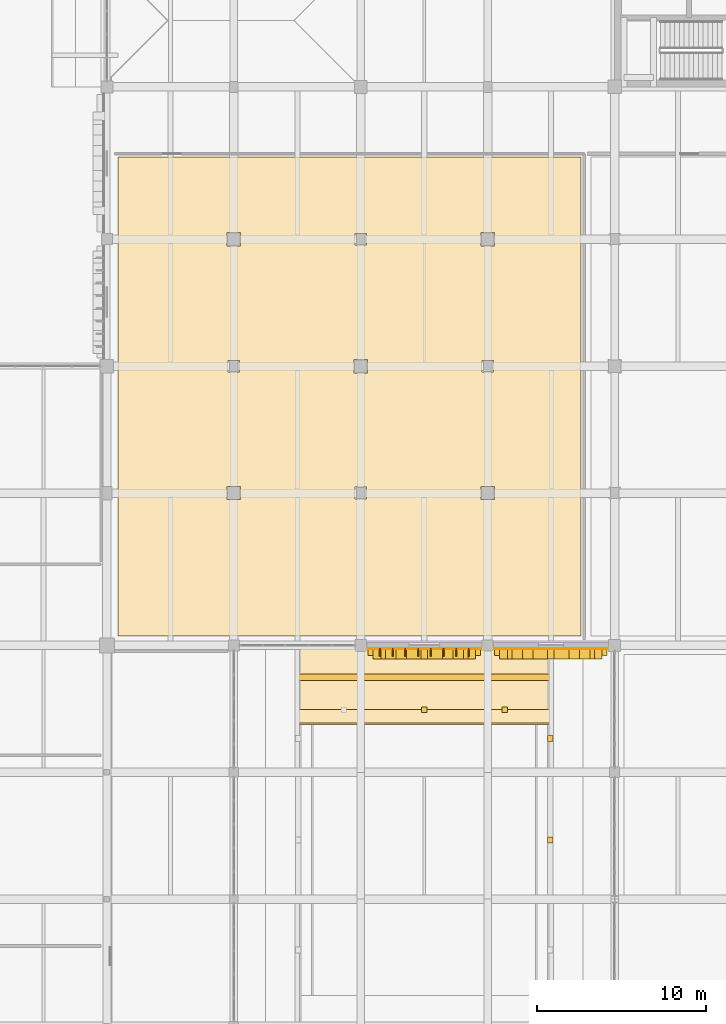
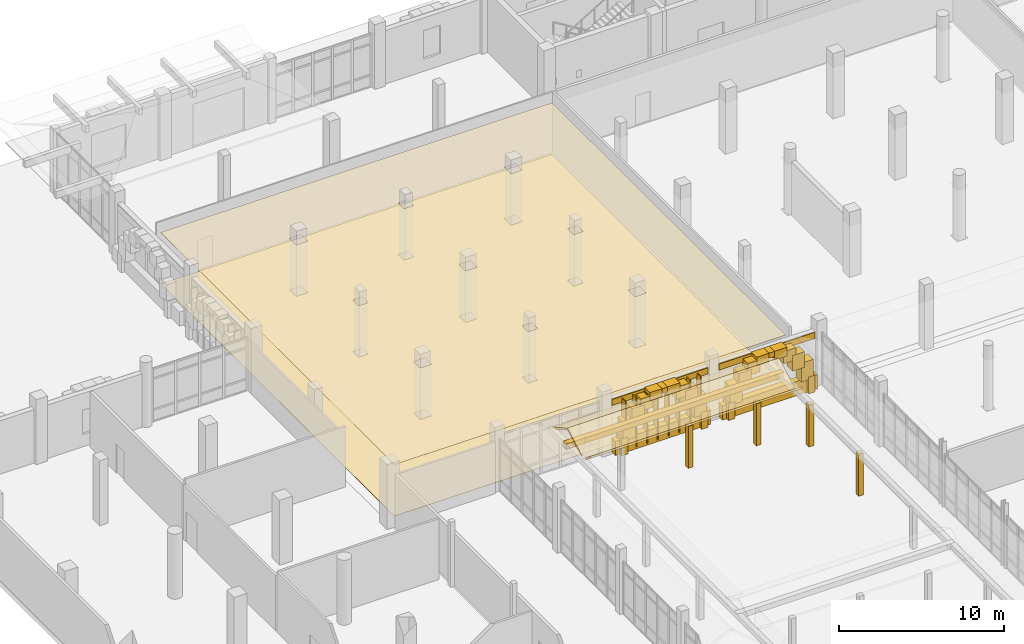
# One storey, part 111 of 125: 36 coverings, 8 shading devices.
"""IFC4 building model written with IfcOpenShell, lengths in metres."""

from ifc_helpers import new_model, si_unit, direction, frame, origin, origin_2d, place, context, subcontext, project, spatial, polyline, rectangle, outline, extrude, material, layer, layer_set, type_object, element, save


model = new_model("IFC4")

# Units and contexts
model_context = context("Model", 3, precision=1e-05, world=origin(), true_north=direction((0.0, 1.0)))
body_context = subcontext(model_context, "Body", "Model", "MODEL_VIEW")
ifc_project = project(units=[si_unit("LENGTHUNIT", "METRE"), si_unit("AREAUNIT", "SQUARE_METRE"), si_unit("VOLUMEUNIT", "CUBIC_METRE"), si_unit("PLANEANGLEUNIT", "RADIAN"), si_unit("MASSUNIT", "GRAM", prefix="KILO")], contexts=[model_context])

# Site, building, storey
site_placement = place(None, origin())
site = spatial("IfcSite", under=ifc_project, at=site_placement, CompositionType="ELEMENT")
building_placement = place(site_placement, origin())
building = spatial("IfcBuilding", under=site, at=building_placement, Name="Dalvernix Boulevard General Hospital", CompositionType="ELEMENT")
storey_placement = place(building_placement, origin())
storey = spatial("IfcBuildingStorey", under=building, at=storey_placement, Name="L00", CompositionType="ELEMENT", Elevation=0.0)

# Coverings
ifc_material_1 = material(Name="Pressed Catalan clay brick and dressed limestone parabolic archivolt", Category="masonry")
ifc_layer_1 = layer(ifc_material_1, 0.419921875)
ifc_layer_set_1 = layer_set([ifc_layer_1], Name="Pressed Catalan clay brick and dressed limestone parabolic archivolt (COV-ARC-01)")
covering_type_1 = type_object("IfcCoveringType", Name="COV-ARC-01", PredefinedType="CLADDING", material=ifc_layer_set_1)
for number, where, z_axis, x_axis, name in (
    (1, (51.5625, 76.014892578125, 0.0), (0.0, 0.0, 1.0), (-1.0, 0.0, 0.0), "L00 Catalan parabolic arch impost pier S 6-10-L"),
    (2, (45.96240234375, 76.014892578125, 0.0), (0.0, 0.0, 1.0), (-1.0, 0.0, 0.0), "L00 Catalan parabolic arch impost pier S 6-10-R"),
):
    element("IfcCovering", number, at=place(storey_placement, frame(where, z_axis=z_axis, x_axis=x_axis)), inside=storey, type_object=covering_type_1, Name=name, PredefinedType="CLADDING", context=body_context, shape_type="SweptSolid", body=[
        extrude(rectangle(XDim=0.4599609375, YDim=0.659912109375, at=origin_2d()), origin(), (0.0, 0.0, 1.0), 1.25),
    ])
covering_1_placement = place(storey_placement, frame((51.25146484375, 76.014892578125, 1.059814453125), z_axis=(0.0, 0.0, 1.0), x_axis=(-1.0, 0.0, 0.0)))
element("IfcCovering", 3, at=covering_1_placement, inside=storey, type_object=covering_type_1, Name="L00 Catalan parabolic archivolt voussoir S 6-10-1", PredefinedType="CLADDING", context=body_context, shape_type="SweptSolid", body=[
    extrude(rectangle(XDim=0.8623046875, YDim=0.659912109375, at=origin_2d()), origin(), (0.0, 0.0, 1.0), 1.3994140625),
])
covering_2_placement = place(storey_placement, frame((50.629150390625, 76.014892578125, 2.07958984375), z_axis=(0.0, 0.0, 1.0), x_axis=(-1.0, 0.0, 0.0)))
element("IfcCovering", 4, at=covering_2_placement, inside=storey, type_object=covering_type_1, Name="L00 Catalan parabolic archivolt voussoir S 6-10-2", PredefinedType="CLADDING", context=body_context, shape_type="SweptSolid", body=[
    extrude(rectangle(XDim=0.8623046875, YDim=0.659912109375, at=origin_2d()), origin(), (0.0, 0.0, 1.0), 1.144287109375),
])
covering_3_placement = place(storey_placement, frame((50.0068359375, 76.014892578125, 2.84375), z_axis=(0.0, 0.0, 1.0), x_axis=(-1.0, 0.0, 0.0)))
element("IfcCovering", 5, at=covering_3_placement, inside=storey, type_object=covering_type_1, Name="L00 Catalan parabolic archivolt voussoir S 6-10-3", PredefinedType="CLADDING", context=body_context, shape_type="SweptSolid", body=[
    extrude(rectangle(XDim=0.8623046875, YDim=0.659912109375, at=origin_2d()), origin(), (0.0, 0.0, 1.0), 0.8896484375),
])
covering_4_placement = place(storey_placement, frame((49.384765625, 76.014892578125, 3.353271484375), z_axis=(0.0, 0.0, 1.0), x_axis=(-1.0, 0.0, 0.0)))
element("IfcCovering", 6, at=covering_4_placement, inside=storey, type_object=covering_type_1, Name="L00 Catalan parabolic archivolt voussoir S 6-10-4", PredefinedType="CLADDING", context=body_context, shape_type="SweptSolid", body=[
    extrude(rectangle(XDim=0.8623046875, YDim=0.659912109375, at=origin_2d()), origin(), (0.0, 0.0, 1.0), 0.634765625),
])
covering_5_placement = place(storey_placement, frame((48.762451171875, 76.014892578125, 3.608154296875), z_axis=(0.0, 0.0, 1.0), x_axis=(-1.0, 0.0, 0.0)))
element("IfcCovering", 7, at=covering_5_placement, inside=storey, type_object=covering_type_1, Name="L00 Catalan parabolic archivolt voussoir S 6-10-5", PredefinedType="CLADDING", context=body_context, shape_type="SweptSolid", body=[
    extrude(rectangle(XDim=0.8623046875, YDim=0.659912109375, at=origin_2d()), origin(), (0.0, 0.0, 1.0), 0.3798828125),
])
covering_6_placement = place(storey_placement, frame((48.140380859375, 76.014892578125, 3.353271484375), z_axis=(0.0, 0.0, 1.0), x_axis=(-1.0, 0.0, 0.0)))
element("IfcCovering", 8, at=covering_6_placement, inside=storey, type_object=covering_type_1, Name="L00 Catalan parabolic archivolt voussoir S 6-10-6", PredefinedType="CLADDING", context=body_context, shape_type="SweptSolid", body=[
    extrude(rectangle(XDim=0.8623046875, YDim=0.659912109375, at=origin_2d()), origin(), (0.0, 0.0, 1.0), 0.634765625),
])
covering_7_placement = place(storey_placement, frame((47.51806640625, 76.014892578125, 2.84375), z_axis=(0.0, 0.0, 1.0), x_axis=(-1.0, 0.0, 0.0)))
element("IfcCovering", 9, at=covering_7_placement, inside=storey, type_object=covering_type_1, Name="L00 Catalan parabolic archivolt voussoir S 6-10-7", PredefinedType="CLADDING", context=body_context, shape_type="SweptSolid", body=[
    extrude(rectangle(XDim=0.8623046875, YDim=0.659912109375, at=origin_2d()), origin(), (0.0, 0.0, 1.0), 0.8896484375),
])
covering_8_placement = place(storey_placement, frame((46.895751953125, 76.014892578125, 2.07958984375), z_axis=(0.0, 0.0, 1.0), x_axis=(-1.0, 0.0, 0.0)))
element("IfcCovering", 10, at=covering_8_placement, inside=storey, type_object=covering_type_1, Name="L00 Catalan parabolic archivolt voussoir S 6-10-8", PredefinedType="CLADDING", context=body_context, shape_type="SweptSolid", body=[
    extrude(rectangle(XDim=0.8623046875, YDim=0.659912109375, at=origin_2d()), origin(), (0.0, 0.0, 1.0), 1.144287109375),
])
covering_9_placement = place(storey_placement, frame((46.273681640625, 76.014892578125, 1.059814453125), z_axis=(0.0, 0.0, 1.0), x_axis=(-1.0, 0.0, 0.0)))
element("IfcCovering", 11, at=covering_9_placement, inside=storey, type_object=covering_type_1, Name="L00 Catalan parabolic archivolt voussoir S 6-10-9", PredefinedType="CLADDING", context=body_context, shape_type="SweptSolid", body=[
    extrude(rectangle(XDim=0.8623046875, YDim=0.659912109375, at=origin_2d()), origin(), (0.0, 0.0, 1.0), 1.3994140625),
])
for number, where, z_axis, x_axis, name in (
    (12, (59.03759765625, 76.014892578125, 0.0), (0.0, 0.0, 1.0), (-1.0, 0.0, 0.0), "L00 Catalan parabolic arch impost pier S 7-10-L"),
    (13, (53.4375, 76.014892578125, 0.0), (0.0, 0.0, 1.0), (-1.0, 0.0, 0.0), "L00 Catalan parabolic arch impost pier S 7-10-R"),
):
    element("IfcCovering", number, at=place(storey_placement, frame(where, z_axis=z_axis, x_axis=x_axis)), inside=storey, type_object=covering_type_1, Name=name, PredefinedType="CLADDING", context=body_context, shape_type="SweptSolid", body=[
        extrude(rectangle(XDim=0.4599609375, YDim=0.659912109375, at=origin_2d()), origin(), (0.0, 0.0, 1.0), 1.25),
    ])
covering_10_placement = place(storey_placement, frame((58.726318359375, 76.014892578125, 1.059814453125), z_axis=(0.0, 0.0, 1.0), x_axis=(-1.0, 0.0, 0.0)))
element("IfcCovering", 14, at=covering_10_placement, inside=storey, type_object=covering_type_1, Name="L00 Catalan parabolic archivolt voussoir S 7-10-1", PredefinedType="CLADDING", context=body_context, shape_type="SweptSolid", body=[
    extrude(rectangle(XDim=0.8623046875, YDim=0.659912109375, at=origin_2d()), origin(), (0.0, 0.0, 1.0), 1.3994140625),
])
covering_11_placement = place(storey_placement, frame((58.104248046875, 76.014892578125, 2.07958984375), z_axis=(0.0, 0.0, 1.0), x_axis=(-1.0, 0.0, 0.0)))
element("IfcCovering", 15, at=covering_11_placement, inside=storey, type_object=covering_type_1, Name="L00 Catalan parabolic archivolt voussoir S 7-10-2", PredefinedType="CLADDING", context=body_context, shape_type="SweptSolid", body=[
    extrude(rectangle(XDim=0.8623046875, YDim=0.659912109375, at=origin_2d()), origin(), (0.0, 0.0, 1.0), 1.144287109375),
])
covering_12_placement = place(storey_placement, frame((57.48193359375, 76.014892578125, 2.84375), z_axis=(0.0, 0.0, 1.0), x_axis=(-1.0, 0.0, 0.0)))
element("IfcCovering", 16, at=covering_12_placement, inside=storey, type_object=covering_type_1, Name="L00 Catalan parabolic archivolt voussoir S 7-10-3", PredefinedType="CLADDING", context=body_context, shape_type="SweptSolid", body=[
    extrude(rectangle(XDim=0.8623046875, YDim=0.659912109375, at=origin_2d()), origin(), (0.0, 0.0, 1.0), 0.8896484375),
])
covering_13_placement = place(storey_placement, frame((56.859619140625, 76.014892578125, 3.353271484375), z_axis=(0.0, 0.0, 1.0), x_axis=(-1.0, 0.0, 0.0)))
element("IfcCovering", 17, at=covering_13_placement, inside=storey, type_object=covering_type_1, Name="L00 Catalan parabolic archivolt voussoir S 7-10-4", PredefinedType="CLADDING", context=body_context, shape_type="SweptSolid", body=[
    extrude(rectangle(XDim=0.8623046875, YDim=0.659912109375, at=origin_2d()), origin(), (0.0, 0.0, 1.0), 0.634765625),
])
covering_14_placement = place(storey_placement, frame((56.237548828125, 76.014892578125, 3.608154296875), z_axis=(0.0, 0.0, 1.0), x_axis=(-1.0, 0.0, 0.0)))
element("IfcCovering", 18, at=covering_14_placement, inside=storey, type_object=covering_type_1, Name="L00 Catalan parabolic archivolt voussoir S 7-10-5", PredefinedType="CLADDING", context=body_context, shape_type="SweptSolid", body=[
    extrude(rectangle(XDim=0.8623046875, YDim=0.659912109375, at=origin_2d()), origin(), (0.0, 0.0, 1.0), 0.3798828125),
])
covering_15_placement = place(storey_placement, frame((55.615234375, 76.014892578125, 3.353271484375), z_axis=(0.0, 0.0, 1.0), x_axis=(-1.0, 0.0, 0.0)))
element("IfcCovering", 19, at=covering_15_placement, inside=storey, type_object=covering_type_1, Name="L00 Catalan parabolic archivolt voussoir S 7-10-6", PredefinedType="CLADDING", context=body_context, shape_type="SweptSolid", body=[
    extrude(rectangle(XDim=0.8623046875, YDim=0.659912109375, at=origin_2d()), origin(), (0.0, 0.0, 1.0), 0.634765625),
])
covering_16_placement = place(storey_placement, frame((54.9931640625, 76.014892578125, 2.84375), z_axis=(0.0, 0.0, 1.0), x_axis=(-1.0, 0.0, 0.0)))
element("IfcCovering", 20, at=covering_16_placement, inside=storey, type_object=covering_type_1, Name="L00 Catalan parabolic archivolt voussoir S 7-10-7", PredefinedType="CLADDING", context=body_context, shape_type="SweptSolid", body=[
    extrude(rectangle(XDim=0.8623046875, YDim=0.659912109375, at=origin_2d()), origin(), (0.0, 0.0, 1.0), 0.8896484375),
])
covering_17_placement = place(storey_placement, frame((54.370849609375, 76.014892578125, 2.07958984375), z_axis=(0.0, 0.0, 1.0), x_axis=(-1.0, 0.0, 0.0)))
element("IfcCovering", 21, at=covering_17_placement, inside=storey, type_object=covering_type_1, Name="L00 Catalan parabolic archivolt voussoir S 7-10-8", PredefinedType="CLADDING", context=body_context, shape_type="SweptSolid", body=[
    extrude(rectangle(XDim=0.8623046875, YDim=0.659912109375, at=origin_2d()), origin(), (0.0, 0.0, 1.0), 1.144287109375),
])
covering_18_placement = place(storey_placement, frame((53.74853515625, 76.014892578125, 1.059814453125), z_axis=(0.0, 0.0, 1.0), x_axis=(-1.0, 0.0, 0.0)))
element("IfcCovering", 22, at=covering_18_placement, inside=storey, type_object=covering_type_1, Name="L00 Catalan parabolic archivolt voussoir S 7-10-9", PredefinedType="CLADDING", context=body_context, shape_type="SweptSolid", body=[
    extrude(rectangle(XDim=0.8623046875, YDim=0.659912109375, at=origin_2d()), origin(), (0.0, 0.0, 1.0), 1.3994140625),
])
ifc_material_2 = material(Name="Antimicrobial acoustic mineral-fibre suspended ceiling")
ifc_layer_2 = layer(ifc_material_2, 0.02490234375)
ifc_layer_set_2 = layer_set([ifc_layer_2], Name="Antimicrobial acoustic mineral-fibre suspended ceiling (COV-CEIL-01)")
covering_type_2 = type_object("IfcCoveringType", Name="COV-CEIL-01", PredefinedType="CEILING", material=ifc_layer_set_2)
covering_19_placement = place(storey_placement, frame((0.0, 0.0, 3.794921875)))
element("IfcCovering", 23, at=covering_19_placement, inside=storey, type_object=covering_type_2, Name="L00 Hospital Central Stores and Logistics Hall 01 hygienic suspended ceiling", PredefinedType="CEILING", context=body_context, shape_type="SweptSolid", body=[
    extrude(outline(polyline([(30.64990234375, 77.050048828125), (30.64990234375, 105.35009765625), (58.0, 105.35009765625), (58.0, 77.050048828125), (30.64990234375, 77.050048828125)]), holes=[polyline([(37.89501953125, 85.89501953125), (37.10498046875, 85.89501953125), (37.10498046875, 85.10498046875), (37.89501953125, 85.10498046875), (37.89501953125, 85.89501953125)]), polyline([(37.844970703125, 92.655029296875), (37.844970703125, 93.344970703125), (37.155029296875, 93.344970703125), (37.155029296875, 92.655029296875), (37.844970703125, 92.655029296875)]), polyline([(37.10498046875, 100.10498046875), (37.89501953125, 100.10498046875), (37.89501953125, 100.89501953125), (37.10498046875, 100.89501953125), (37.10498046875, 100.10498046875)]), polyline([(44.655029296875, 85.844970703125), (44.655029296875, 85.155029296875), (45.344970703125, 85.155029296875), (45.344970703125, 85.844970703125), (44.655029296875, 85.844970703125)]), polyline([(45.39501953125, 93.39501953125), (44.60498046875, 93.39501953125), (44.60498046875, 92.60498046875), (45.39501953125, 92.60498046875), (45.39501953125, 93.39501953125)]), polyline([(45.344970703125, 100.155029296875), (45.344970703125, 100.844970703125), (44.655029296875, 100.844970703125), (44.655029296875, 100.155029296875), (45.344970703125, 100.155029296875)]), polyline([(52.10498046875, 85.10498046875), (52.89501953125, 85.10498046875), (52.89501953125, 85.89501953125), (52.10498046875, 85.89501953125), (52.10498046875, 85.10498046875)]), polyline([(52.155029296875, 93.344970703125), (52.155029296875, 92.655029296875), (52.844970703125, 92.655029296875), (52.844970703125, 93.344970703125), (52.155029296875, 93.344970703125)]), polyline([(52.89501953125, 100.89501953125), (52.10498046875, 100.89501953125), (52.10498046875, 100.10498046875), (52.89501953125, 100.10498046875), (52.89501953125, 100.89501953125)])]), origin(), (0.0, 0.0, 1.0), 0.025146484375),
])
ifc_material_3 = material(Name="Polychrome Catalan glazed ceramic spandrel tile panel")
ifc_layer_3 = layer(ifc_material_3, 0.044921875)
ifc_layer_set_3 = layer_set([ifc_layer_3], Name="Polychrome Catalan glazed ceramic spandrel tile panel (COV-CLD-01)")
covering_type_3 = type_object("IfcCoveringType", Name="COV-CLD-01", PredefinedType="CLADDING", material=ifc_layer_set_3)
for number, where, z_axis, x_axis, name in (
    (24, (48.762451171875, 76.304931640625, 3.47509765625), (0.0, 0.0, 1.0), (-1.0, 0.0, 0.0), "L00 polychrome ceramic spandrel S 6-10"),
    (25, (56.237548828125, 76.304931640625, 3.47509765625), (0.0, 0.0, 1.0), (-1.0, 0.0, 0.0), "L00 polychrome ceramic spandrel S 7-10"),
):
    element("IfcCovering", number, at=place(storey_placement, frame(where, z_axis=z_axis, x_axis=x_axis)), inside=storey, type_object=covering_type_3, Name=name, PredefinedType="CLADDING", context=body_context, shape_type="SweptSolid", body=[
        extrude(rectangle(XDim=6.705078125, YDim=0.044921875, at=origin_2d()), origin(), (0.0, 0.0, 1.0), 0.449951171875),
    ])
ifc_material_4 = material(Name="Dressed ochre limestone classical plinth, stringcourse and corbelled cornice", Category="masonry")
ifc_layer_4 = layer(ifc_material_4, 0.449951171875)
ifc_layer_set_4 = layer_set([ifc_layer_4], Name="Dressed ochre limestone classical plinth, stringcourse and corbelled cornice (COV-CRN-01)")
covering_type_4 = type_object("IfcCoveringType", Name="COV-CRN-01", PredefinedType="CLADDING", material=ifc_layer_set_4)
for number, where, z_axis, x_axis, name in (
    (26, (48.762451171875, 76.125, 0.0), (0.0, 0.0, 1.0), (-1.0, 0.0, 0.0), "L00 rusticated limestone classical plinth S 6-10"),
    (27, (56.237548828125, 76.125, 0.0), (0.0, 0.0, 1.0), (-1.0, 0.0, 0.0), "L00 rusticated limestone classical plinth S 7-10"),
):
    element("IfcCovering", number, at=place(storey_placement, frame(where, z_axis=z_axis, x_axis=x_axis)), inside=storey, type_object=covering_type_4, Name=name, PredefinedType="CLADDING", context=body_context, shape_type="SweptSolid", body=[
        extrude(rectangle(XDim=6.64501953125, YDim=0.43994140625, at=origin_2d()), origin(), (0.0, 0.0, 1.0), 1.0400390625),
    ])
ifc_material_5 = material(Name="Seamless welded medical vinyl and polished terrazzo flooring")
ifc_layer_5 = layer(ifc_material_5, 0.014892578125)
ifc_layer_set_5 = layer_set([ifc_layer_5], Name="Seamless welded medical vinyl and polished terrazzo flooring (COV-FLR-01)")
covering_type_5 = type_object("IfcCoveringType", Name="COV-FLR-01", PredefinedType="FLOORING", material=ifc_layer_set_5)
covering_20_placement = place(storey_placement, origin())
element("IfcCovering", 28, at=covering_20_placement, inside=storey, type_object=covering_type_5, Name="L00 Hospital Central Stores and Logistics Hall 01 seamless clinical flooring", PredefinedType="FLOORING", context=body_context, shape_type="SweptSolid", body=[
    extrude(outline(polyline([(30.64990234375, 77.050048828125), (30.64990234375, 105.35009765625), (58.0, 105.35009765625), (58.0, 77.050048828125), (30.64990234375, 77.050048828125)]), holes=[polyline([(37.89501953125, 85.89501953125), (37.10498046875, 85.89501953125), (37.10498046875, 85.10498046875), (37.89501953125, 85.10498046875), (37.89501953125, 85.89501953125)]), polyline([(37.844970703125, 92.655029296875), (37.844970703125, 93.344970703125), (37.155029296875, 93.344970703125), (37.155029296875, 92.655029296875), (37.844970703125, 92.655029296875)]), polyline([(37.10498046875, 100.10498046875), (37.89501953125, 100.10498046875), (37.89501953125, 100.89501953125), (37.10498046875, 100.89501953125), (37.10498046875, 100.10498046875)]), polyline([(44.655029296875, 85.844970703125), (44.655029296875, 85.155029296875), (45.344970703125, 85.155029296875), (45.344970703125, 85.844970703125), (44.655029296875, 85.844970703125)]), polyline([(45.39501953125, 93.39501953125), (44.60498046875, 93.39501953125), (44.60498046875, 92.60498046875), (45.39501953125, 92.60498046875), (45.39501953125, 93.39501953125)]), polyline([(45.344970703125, 100.155029296875), (45.344970703125, 100.844970703125), (44.655029296875, 100.844970703125), (44.655029296875, 100.155029296875), (45.344970703125, 100.155029296875)]), polyline([(52.10498046875, 85.10498046875), (52.89501953125, 85.10498046875), (52.89501953125, 85.89501953125), (52.10498046875, 85.89501953125), (52.10498046875, 85.10498046875)]), polyline([(52.155029296875, 93.344970703125), (52.155029296875, 92.655029296875), (52.844970703125, 92.655029296875), (52.844970703125, 93.344970703125), (52.155029296875, 93.344970703125)]), polyline([(52.89501953125, 100.89501953125), (52.10498046875, 100.89501953125), (52.10498046875, 100.10498046875), (52.89501953125, 100.10498046875), (52.89501953125, 100.89501953125)])]), origin(), (0.0, 0.0, 1.0), 0.014892578125),
])
ifc_material_6 = material(Name="Preservative-treated glulam GL28h cloister walkway post, beam and roof", Category="wood")
ifc_layer_6 = layer(ifc_material_6, 0.340087890625)
ifc_layer_set_6 = layer_set([ifc_layer_6], Name="Preservative-treated glulam GL28h cloister walkway post, beam and roof (COV-WKP-01)")
covering_type_6 = type_object("IfcCoveringType", Name="COV-WKP-01", PredefinedType="CLADDING", material=ifc_layer_set_6)
for number, where, z_axis, x_axis, name in (
    (29, (56.199951171875, 65.0, 0.0), (0.0, 0.0, 1.0), (1.0, 0.0, 0.0), "WCOURT covered timber walkway post E-5"),
    (30, (56.199951171875, 71.0, 0.0), (0.0, 0.0, 1.0), (1.0, 0.0, 0.0), "WCOURT covered timber walkway post E-6"),
):
    element("IfcCovering", number, at=place(storey_placement, frame(where, z_axis=z_axis, x_axis=x_axis)), inside=storey, type_object=covering_type_6, Name=name, PredefinedType="CLADDING", context=body_context, shape_type="SweptSolid", body=[
        extrude(rectangle(XDim=0.340087890625, YDim=0.340087890625, at=origin_2d()), origin(), (0.0, 0.0, 1.0), 3.10009765625),
    ])
covering_21_placement = place(storey_placement, frame((48.75, 74.625, 2.860107421875), z_axis=(0.0, 0.0, 1.0), x_axis=(1.0, 0.0, 0.0)))
element("IfcCovering", 31, at=covering_21_placement, inside=storey, type_object=covering_type_6, Name="WCOURT covered timber walkway ridge beam N", PredefinedType="CLADDING", context=body_context, shape_type="SweptSolid", body=[
    extrude(rectangle(XDim=15.199951171875, YDim=0.3798828125, at=origin_2d()), origin(), (0.0, 0.0, 1.0), 0.3798828125),
])
for number, where, z_axis, x_axis, name in (
    (32, (48.75, 72.699951171875, 0.0), (0.0, 0.0, 1.0), (1.0, 0.0, 0.0), "WCOURT covered timber walkway post N-2"),
    (33, (53.5, 72.699951171875, 0.0), (0.0, 0.0, 1.0), (1.0, 0.0, 0.0), "WCOURT covered timber walkway post N-3"),
):
    element("IfcCovering", number, at=place(storey_placement, frame(where, z_axis=z_axis, x_axis=x_axis)), inside=storey, type_object=covering_type_6, Name=name, PredefinedType="CLADDING", context=body_context, shape_type="SweptSolid", body=[
        extrude(rectangle(XDim=0.340087890625, YDim=0.340087890625, at=origin_2d()), origin(), (0.0, 0.0, 1.0), 3.10009765625),
    ])
for number, where, z_axis, x_axis, name in (
    (34, (41.35009765625, 72.699951171875, 3.14990234375), (0.0, -0.496162654506, 0.86822958961), (1.0, 0.0, 0.0), "WCOURT covered timber walkway pitched roof N-1"),
    (35, (41.35009765625, 74.625, 4.25), (0.0, 0.496162654506, 0.86822958961), (1.0, 0.0, 0.0), "WCOURT covered timber walkway pitched roof N-2"),
):
    element("IfcCovering", number, at=place(storey_placement, frame(where, z_axis=z_axis, x_axis=x_axis)), inside=storey, type_object=covering_type_6, Name=name, PredefinedType="CLADDING", context=body_context, shape_type="SweptSolid", body=[
        extrude(outline(polyline([(0.0, 0.0), (14.7998046875, 0.0), (14.7998046875, 2.217211727362134), (0.0, 2.217211727362134), (0.0, 0.0)])), origin(), (0.0, 0.0, -1.0), 0.1298828125),
    ])
covering_22_placement = place(storey_placement, frame((41.35009765625, 72.699951171875, 3.14990234375), z_axis=(0.0, 0.630655032425, 0.776063289995), x_axis=(1.0, 0.0, 0.0)))
element("IfcCovering", 36, at=covering_22_placement, inside=storey, type_object=covering_type_6, Name="WCOURT covered timber walkway pitched roof N-3", PredefinedType="CLADDING", context=body_context, shape_type="SweptSolid", body=[
    extrude(outline(polyline([(0.0, 0.0), (14.7998046875, 0.0), (14.7998046875, -1.0309066778954135), (0.0, -1.0309066778954135), (0.0, 0.0)])), origin(), (0.0, 0.0, -1.0), 0.1298828125),
])

# Shading devices
ifc_material_7 = material(Name="Preservative-treated West African iroko timber", Category="wood")
shading_device_type = type_object("IfcShadingDeviceType", Name="SHD-FIN-01", PredefinedType="USERDEFINED", material=ifc_material_7)
for number, where, z_axis, x_axis, name in (
    (37, (51.387451171875, 76.094970703125, 0.175048828125), (0.0, 0.0, 1.0), (-1.0, 0.0, 0.0), "L00 iroko brise-soleil fin 1"),
    (38, (50.637451171875, 76.094970703125, 0.175048828125), (0.0, 0.0, 1.0), (-1.0, 0.0, 0.0), "L00 iroko brise-soleil fin 2"),
    (39, (49.887451171875, 76.094970703125, 0.175048828125), (0.0, 0.0, 1.0), (-1.0, 0.0, 0.0), "L00 iroko brise-soleil fin 3"),
    (40, (49.137451171875, 76.094970703125, 0.175048828125), (0.0, 0.0, 1.0), (-1.0, 0.0, 0.0), "L00 iroko brise-soleil fin 4"),
    (41, (48.387451171875, 76.094970703125, 0.175048828125), (0.0, 0.0, 1.0), (-1.0, 0.0, 0.0), "L00 iroko brise-soleil fin 5"),
    (42, (47.637451171875, 76.094970703125, 0.175048828125), (0.0, 0.0, 1.0), (-1.0, 0.0, 0.0), "L00 iroko brise-soleil fin 6"),
    (43, (46.887451171875, 76.094970703125, 0.175048828125), (0.0, 0.0, 1.0), (-1.0, 0.0, 0.0), "L00 iroko brise-soleil fin 7"),
    (44, (46.137451171875, 76.094970703125, 0.175048828125), (0.0, 0.0, 1.0), (-1.0, 0.0, 0.0), "L00 iroko brise-soleil fin 8"),
):
    element("IfcShadingDevice", number, at=place(storey_placement, frame(where, z_axis=z_axis, x_axis=x_axis)), inside=storey, type_object=shading_device_type, Name=name, ObjectType="FIN", PredefinedType="USERDEFINED", context=body_context, shape_type="SweptSolid", body=[
        extrude(rectangle(XDim=0.06494140625, YDim=0.47998046875, at=origin_2d()), origin(), (0.0, 0.0, 1.0), 3.60009765625),
    ])

save(model, "model.ifc")
